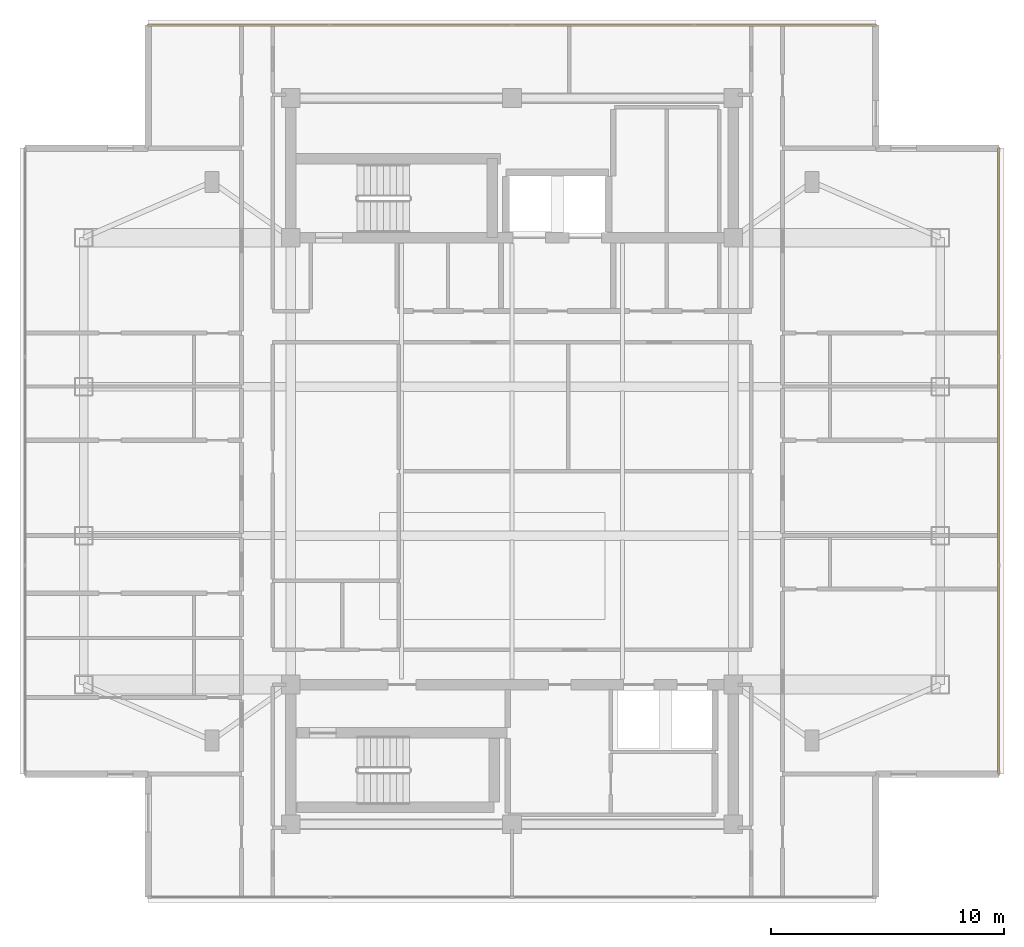
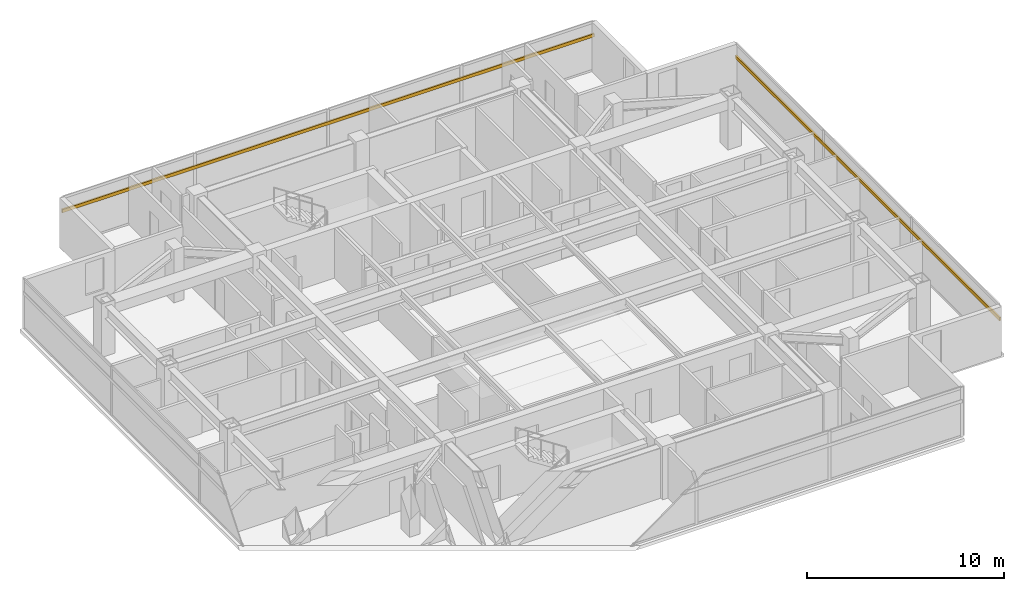
# One storey, part 15 of 15: 2 shading devices.
"""IFC4 building model written with IfcOpenShell, lengths in metres."""

from ifc_helpers import new_model, si_unit, direction, frame, origin, origin_2d, place, context, subcontext, project, spatial, rectangle, extrude, material, material_profile, profile_set, type_object, element, save


model = new_model("IFC4")

# Units and contexts
model_context = context("Model", 3, precision=1e-05, world=origin(), true_north=direction((0.0, 1.0)))
body_context = subcontext(model_context, "Body", "Model", "MODEL_VIEW")
ifc_project = project(units=[si_unit("LENGTHUNIT", "METRE"), si_unit("AREAUNIT", "SQUARE_METRE"), si_unit("VOLUMEUNIT", "CUBIC_METRE"), si_unit("PLANEANGLEUNIT", "RADIAN"), si_unit("MASSUNIT", "GRAM", prefix="KILO")], contexts=[model_context])

# Site, building, storey
site_placement = place(None, origin())
site = spatial("IfcSite", under=ifc_project, at=site_placement, CompositionType="ELEMENT")
building_placement = place(site_placement, origin())
building = spatial("IfcBuilding", under=site, at=building_placement, Name="Mirazonda Arch Towers", CompositionType="ELEMENT")
storey_placement = place(building_placement, frame((0.0, 0.0, 229.300048828125)))
storey = spatial("IfcBuildingStorey", under=building, at=storey_placement, Name="L65", CompositionType="ELEMENT", Elevation=229.300048828125)

# Shading devices
ifc_material = material(Name="Kiln-Fired Architectural Terracotta", Category="masonry")
ifc_material_profile = material_profile(ifc_material, rectangle(XDim=0.10009765625, YDim=0.199951171875, at=origin_2d()), Name="TERRA-BAG-100x200")
ifc_profile_set = profile_set([ifc_material_profile], Name="Kiln-Fired Architectural Terracotta")
shading_device_type = type_object("IfcShadingDeviceType", Name="BAGUETTE-2", PredefinedType="USERDEFINED", material=ifc_profile_set)
shading_device_1_placement = place(storey_placement, frame((41.419921875, 14.555908203125, 2.217529296875), z_axis=(0.0, 1.0, 0.0), x_axis=(-1.0, 0.0, 0.0)))
element("IfcShadingDevice", 1, at=shading_device_1_placement, inside=storey, type_object=shading_device_type, Name="L65 Glazed Terracotta Sun-Screen Baguette CW-L65-T1-E", ObjectType="BAGUETTE", PredefinedType="USERDEFINED", context=body_context, shape_type="SweptSolid", body=[
    extrude(rectangle(XDim=0.10009765625, YDim=0.199951171875, at=origin_2d()), origin(), (0.0, 0.0, 1.0), 26.88818359375),
])
shading_device_2_placement = place(storey_placement, frame((4.8701171875, 46.73388671875, 2.217529296875), z_axis=(1.0, 0.0, 0.0), x_axis=(0.0, 1.0, 0.0)))
element("IfcShadingDevice", 2, at=shading_device_2_placement, inside=storey, type_object=shading_device_type, Name="L65 Glazed Terracotta Sun-Screen Baguette CW-L65-T1-N", ObjectType="BAGUETTE", PredefinedType="USERDEFINED", context=body_context, shape_type="SweptSolid", body=[
    extrude(rectangle(XDim=0.10009765625, YDim=0.199951171875, at=origin_2d()), origin(), (0.0, 0.0, 1.0), 31.259765625),
])

save(model, "model.ifc")
